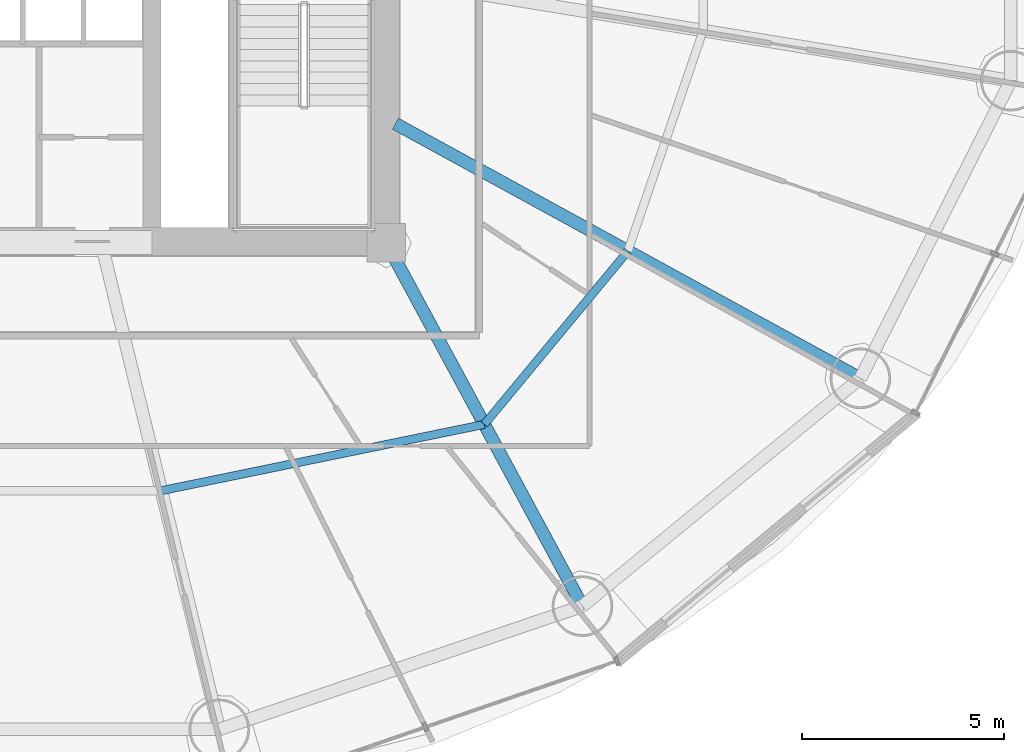
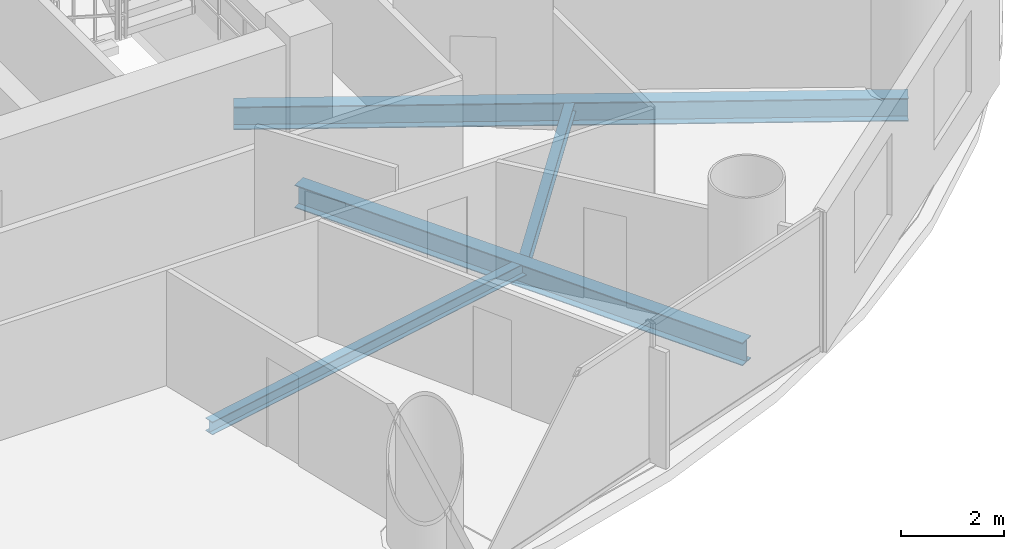
# One storey, part 12 of 29: 4 beams.
"""IFC4 building model written with IfcOpenShell, lengths in metres."""

from ifc_helpers import new_model, si_unit, direction, frame, origin, origin_2d, place, context, subcontext, project, spatial, i_section, extrude, material, material_profile, profile_set, type_object, element, save


model = new_model("IFC4")

# Units and contexts
model_context = context("Model", 3, precision=1e-05, world=origin(), true_north=direction((-0.2419218956, 0.970295726276)))
body_context = subcontext(model_context, "Body", "Model", "MODEL_VIEW")
ifc_project = project(units=[si_unit("LENGTHUNIT", "METRE"), si_unit("AREAUNIT", "SQUARE_METRE"), si_unit("VOLUMEUNIT", "CUBIC_METRE"), si_unit("PLANEANGLEUNIT", "RADIAN"), si_unit("MASSUNIT", "GRAM", prefix="KILO")], contexts=[model_context])

# Site, building, storey
site_placement = place(None, origin())
site = spatial("IfcSite", under=ifc_project, at=site_placement, CompositionType="ELEMENT")
building_placement = place(site_placement, origin())
building = spatial("IfcBuilding", under=site, at=building_placement, Name="Cobrevalo Terracotta Tower", CompositionType="ELEMENT")
storey_placement = place(building_placement, frame((0.0, 0.0, 119.39990234375)))
storey = spatial("IfcBuildingStorey", under=building, at=storey_placement, Name="L31", CompositionType="ELEMENT", Elevation=119.39990234375)

# Beams
ifc_material = material(Name="Steel S355", Category="steel")
ifc_material_profile_1 = material_profile(ifc_material, i_section(OverallWidth=0.31201171875, OverallDepth=0.54296875, WebThickness=0.0126953125, FlangeThickness=0.020263671875, at=origin_2d()), Name="W 530x150")
ifc_profile_set_1 = profile_set([ifc_material_profile_1], Name="Steel S355")
beam_type_1 = type_object("IfcBeamType", Name="Structural Beam W 530x150 (Steel S355)", PredefinedType="BEAM", material=ifc_profile_set_1)
beam_1_placement = place(storey_placement, frame((51.861572265625, 9.79638671875, -0.54638671875), z_axis=(-0.475118249298, 0.879921956303, 0.0), x_axis=(-0.879921956303, -0.475118249298, 0.0)))
element("IfcBeam", 1, at=beam_1_placement, inside=storey, type_object=beam_type_1, Name="L31 radial floor girder 14", PredefinedType="BEAM", context=body_context, shape_type="SweptSolid", body=[
    extrude(i_section(OverallWidth=0.31201171875, OverallDepth=0.54296875, WebThickness=0.0126953125, FlangeThickness=0.020263671875, at=origin_2d()), origin(), (0.0, 0.0, 1.0), 10.232421875),
])
beam_2_placement = place(storey_placement, frame((58.7451171875, 15.4384765625, -0.54638671875), z_axis=(-0.877072765004, 0.480357538599, 0.0), x_axis=(-0.480357538599, -0.877072765004, 0.0)))
element("IfcBeam", 2, at=beam_2_placement, inside=storey, type_object=beam_type_1, Name="L31 radial floor girder 15", PredefinedType="BEAM", context=body_context, shape_type="SweptSolid", body=[
    extrude(i_section(OverallWidth=0.31201171875, OverallDepth=0.54296875, WebThickness=0.0126953125, FlangeThickness=0.020263671875, at=origin_2d()), origin(), (0.0, 0.0, 1.0), 13.129150390625),
])
ifc_material_profile_2 = material_profile(ifc_material, i_section(OverallWidth=0.2041015625, OverallDepth=0.305908203125, WebThickness=0.008544921875, FlangeThickness=0.0146484375, at=origin_2d()), Name="W 310x67")
ifc_profile_set_2 = profile_set([ifc_material_profile_2], Name="Steel S355")
beam_type_2 = type_object("IfcBeamType", Name="Structural Joist W 310x67 (Steel S355)", PredefinedType="JOIST", material=ifc_profile_set_2)
beam_3_placement = place(storey_placement, frame((41.432373046875, 12.656494140625, -0.427978515625), z_axis=(0.979574469315, 0.201081722357, 0.0), x_axis=(-0.201081722357, 0.979574469315, 0.0)))
element("IfcBeam", 3, at=beam_3_placement, inside=storey, type_object=beam_type_2, Name="L31 circumferential secondary floor joist 13", PredefinedType="JOIST", context=body_context, shape_type="SweptSolid", body=[
    extrude(i_section(OverallWidth=0.2041015625, OverallDepth=0.305908203125, WebThickness=0.008544921875, FlangeThickness=0.0146484375, at=origin_2d()), origin(), (0.0, 0.0, 1.0), 8.1650390625),
])
beam_4_placement = place(storey_placement, frame((49.4306640625, 14.29833984375, -0.427978515625), z_axis=(0.6379592588, 0.77007011636, 0.0), x_axis=(-0.77007011636, 0.6379592588, 0.0)))
element("IfcBeam", 4, at=beam_4_placement, inside=storey, type_object=beam_type_2, Name="L31 circumferential secondary floor joist 14", PredefinedType="JOIST", context=body_context, shape_type="SweptSolid", body=[
    extrude(i_section(OverallWidth=0.2041015625, OverallDepth=0.305908203125, WebThickness=0.008544921875, FlangeThickness=0.0146484375, at=origin_2d()), origin(), (0.0, 0.0, 1.0), 5.575439453125),
])

save(model, "model.ifc")
